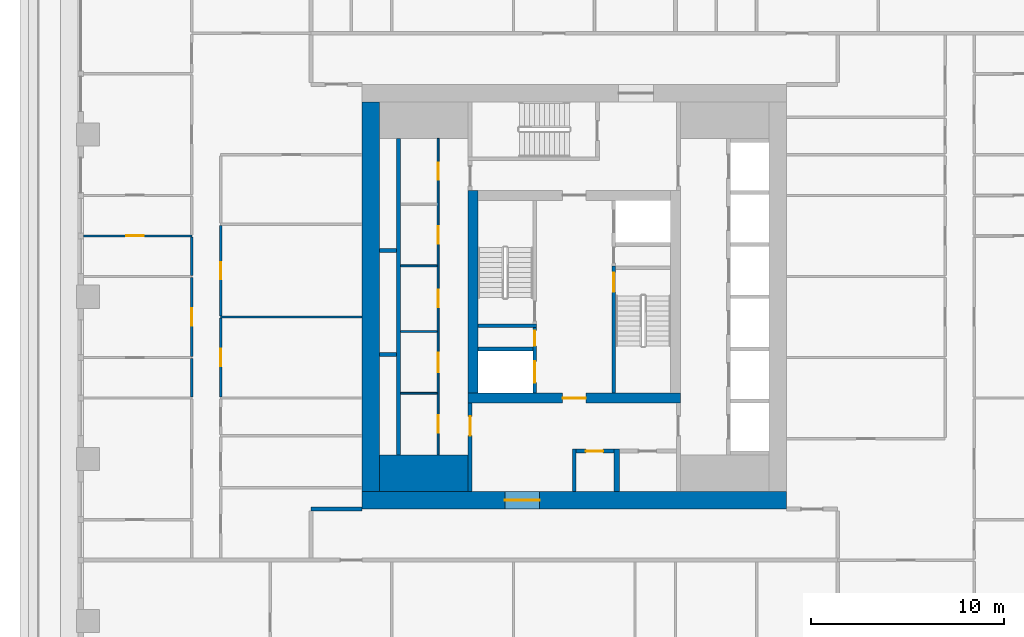
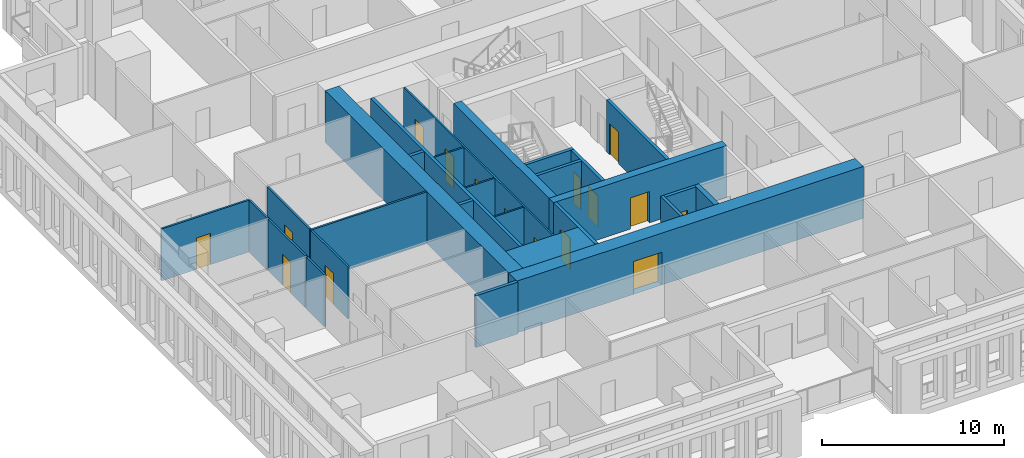
# One storey, part 4 of 16: 28 walls, 16 doors, 16 openings.
"""IFC4 building model written with IfcOpenShell, lengths in metres."""

from ifc_helpers import new_model, si_unit, direction, frame, frame_2d, origin, place, context, subcontext, project, spatial, rectangle, extrude, material, layer, layer_set, type_object, element, fill, save


model = new_model("IFC4")

# Units and contexts
model_context = context("Model", 3, precision=1e-05, world=origin(), true_north=direction((0.0, 1.0)))
body_context = subcontext(model_context, "Body", "Model", "MODEL_VIEW")
ifc_project = project(units=[si_unit("LENGTHUNIT", "METRE"), si_unit("AREAUNIT", "SQUARE_METRE"), si_unit("VOLUMEUNIT", "CUBIC_METRE"), si_unit("PLANEANGLEUNIT", "RADIAN"), si_unit("MASSUNIT", "GRAM", prefix="KILO")], contexts=[model_context])

# Site, building, storey
site_placement = place(None, origin())
site = spatial("IfcSite", under=ifc_project, at=site_placement, CompositionType="ELEMENT")
building_placement = place(site_placement, origin())
building = spatial("IfcBuilding", under=site, at=building_placement, Name="Khepri Terraces", CompositionType="ELEMENT")
storey_placement = place(building_placement, frame((0.0, 0.0, 240.60009765625)))
storey = spatial("IfcBuildingStorey", under=building, at=storey_placement, Name="L57", CompositionType="ELEMENT", Elevation=240.60009765625)

# Wall
ifc_material_1 = material(Name="Concrete C40/50", Category="concrete")
ifc_layer_1 = layer(ifc_material_1, 1.89990234375, Name="Concrete C40/50", Category="concrete")
ifc_layer_set_1 = layer_set([ifc_layer_1], Name="Concrete C40/50")
wall_type_1 = type_object("IfcWallType", Name="Core wall 1900 C40/50", PredefinedType="SHEAR", material=ifc_layer_set_1)
wall_1_placement = place(storey_placement, frame((-10.10009765625, -9.14990234375, 0.0), z_axis=(0.0, 0.0, 1.0), x_axis=(1.0, 0.0, 0.0)))
element("IfcWall", 1, at=wall_1_placement, inside=storey, type_object=wall_type_1, Name="Core wall PR01 L57", PredefinedType="SHEAR", context=body_context, shape_type="SweptSolid", body=[
    extrude(rectangle(XDim=4.60009765625, YDim=1.89990234375, at=frame_2d((2.300048828125, 0.0))), origin(), (0.0, 0.0, 1.0), 3.47998046875),
])

# Wall, opening, door
ifc_layer_2 = layer(ifc_material_1, 0.199951171875, Name="Concrete C40/50", Category="concrete")
ifc_layer_set_2 = layer_set([ifc_layer_2], Name="Concrete C40/50")
wall_type_2 = type_object("IfcWallType", Name="Core wall 200 C40/50", PredefinedType="SHEAR", material=ifc_layer_set_2)
wall_2_placement = place(storey_placement, frame((2.050048828125, -5.0, 0.0), z_axis=(0.0, 0.0, 1.0), x_axis=(0.0, 1.0, 0.0)))
wall_2 = element("IfcWall", 2, at=wall_2_placement, inside=storey, type_object=wall_type_2, Name="Core wall ST01 L57", PredefinedType="SHEAR", context=body_context, shape_type="SweptSolid", body=[
    extrude(rectangle(XDim=6.60009765625, YDim=0.199951171875, at=frame_2d((3.300048828125, 0.0))), origin(), (0.0, 0.0, 1.0), 3.47998046875),
])
opening_1_placement = place(wall_2_placement, frame((5.25, 0.0, 0.0)))
opening_1 = element("IfcOpeningElement", 3, at=opening_1_placement, cuts=wall_2, Name="Opening L57-C10", PredefinedType="OPENING", context=body_context, shape_type="SweptSolid", body=[
    extrude(rectangle(XDim=1.0, YDim=2.10009765625, at=frame_2d((0.5, 1.050048828125))), frame((0.0, 0.10986328125, 0.0), z_axis=(0.0, -1.0, 0.0), x_axis=(1.0, 0.0, 0.0)), (0.0, 0.0, 1.0), 0.219970703125),
])
ifc_material_2 = material(Name="Painted steel", Category="steel")
door_type_1 = type_object("IfcDoorType", Name="DR-CORE-STAIR-1000", OperationType="NOTDEFINED", PredefinedType="DOOR", material=ifc_material_2)
door_1_placement = place(opening_1_placement, frame((1.0, 0.0, 0.0), z_axis=(0.0, 0.0, 1.0), x_axis=(-1.0, 0.0, 0.0)))
door_1 = element("IfcDoor", 4, at=door_1_placement, inside=storey, type_object=door_type_1, Name="Stair door L57-C10", OperationType="SINGLE_SWING_LEFT", OverallHeight=2.10009765625, OverallWidth=1.0, PredefinedType="DOOR", context=body_context, shape_type="SweptSolid", body=[
    extrude(rectangle(XDim=1.0, YDim=2.10009765625, at=frame_2d((0.5, 1.050048828125))), frame((0.0, 0.02490234375, 0.0), z_axis=(0.0, -1.0, 0.0), x_axis=(1.0, 0.0, 0.0)), (0.0, 0.0, 1.0), 0.050048828125),
])
fill(opening_1, door_1)

# Walls
wall_3_placement = place(storey_placement, frame((-5.0, -1.5, 0.0), z_axis=(0.0, 0.0, 1.0), x_axis=(1.0, 0.0, 0.0)))
element("IfcWall", 5, at=wall_3_placement, inside=storey, type_object=wall_type_2, Name="Core wall ST02 L57", PredefinedType="SHEAR", context=body_context, shape_type="SweptSolid", body=[
    extrude(rectangle(XDim=3.050048828125, YDim=0.199951171875, at=frame_2d((1.52490234375, 0.0))), origin(), (0.0, 0.0, 1.0), 3.47998046875),
])
wall_4_placement = place(storey_placement, frame((-9.10009765625, -8.199951171875, 0.0), z_axis=(0.0, 0.0, 1.0), x_axis=(0.0, 1.0, 0.0)))
element("IfcWall", 6, at=wall_4_placement, inside=storey, type_object=wall_type_2, Name="Core wall SH01 L57", PredefinedType="SHEAR", context=body_context, shape_type="SweptSolid", body=[
    extrude(rectangle(XDim=16.39990234375, YDim=0.199951171875, at=frame_2d((8.199951171875, 0.0))), origin(), (0.0, 0.0, 1.0), 3.47998046875),
])

# Wall, openings, doors
wall_5_placement = place(storey_placement, frame((-2.050048828125, -5.0, 0.0), z_axis=(0.0, 0.0, 1.0), x_axis=(0.0, 1.0, 0.0)))
wall_5 = element("IfcWall", 7, at=wall_5_placement, inside=storey, type_object=wall_type_2, Name="Core wall SH05 L57", PredefinedType="SHEAR", context=body_context, shape_type="SweptSolid", body=[
    extrude(rectangle(XDim=3.39990234375, YDim=0.199951171875, at=frame_2d((1.699951171875, 0.0))), origin(), (0.0, 0.0, 1.0), 3.47998046875),
])
opening_2_placement = place(wall_5_placement, frame((0.550048828125, 0.0, 0.0)))
opening_2 = element("IfcOpeningElement", 8, at=opening_2_placement, cuts=wall_5, Name="Opening L57-C08", PredefinedType="OPENING", context=body_context, shape_type="SweptSolid", body=[
    extrude(rectangle(XDim=1.10009765625, YDim=2.10009765625, at=frame_2d((0.550048828125, 1.050048828125))), frame((0.0, 0.10986328125, 0.0), z_axis=(0.0, -1.0, 0.0), x_axis=(1.0, 0.0, 0.0)), (0.0, 0.0, 1.0), 0.219970703125),
])
opening_3_placement = place(wall_5_placement, frame((2.449951171875, 0.0, 0.0)))
opening_3 = element("IfcOpeningElement", 9, at=opening_3_placement, cuts=wall_5, Name="Opening L57-C12", PredefinedType="OPENING", context=body_context, shape_type="SweptSolid", body=[
    extrude(rectangle(XDim=0.800048828125, YDim=2.10009765625, at=frame_2d((0.39990234375, 1.050048828125))), frame((0.0, 0.10986328125, 0.0), z_axis=(0.0, -1.0, 0.0), x_axis=(1.0, 0.0, 0.0)), (0.0, 0.0, 1.0), 0.219970703125),
])
ifc_material_3 = material(Name="Stainless steel 304", Category="steel")
door_type_2 = type_object("IfcDoorType", Name="DR-CORE-FF-LANDING-1100", OperationType="NOTDEFINED", PredefinedType="DOOR", material=ifc_material_3)
door_2_placement = place(opening_2_placement, origin())
door_2 = element("IfcDoor", 10, at=door_2_placement, inside=storey, type_object=door_type_2, Name="Firefighting lift landing door L57-C08", OperationType="SLIDING_TO_LEFT", OverallHeight=2.10009765625, OverallWidth=1.10009765625, PredefinedType="DOOR", context=body_context, shape_type="SweptSolid", body=[
    extrude(rectangle(XDim=1.10009765625, YDim=2.10009765625, at=frame_2d((0.550048828125, 1.050048828125))), frame((0.0, 0.02490234375, 0.0), z_axis=(0.0, -1.0, 0.0), x_axis=(1.0, 0.0, 0.0)), (0.0, 0.0, 1.0), 0.050048828125),
])
fill(opening_2, door_2)
door_type_3 = type_object("IfcDoorType", Name="DR-CORE-RISER-800", OperationType="NOTDEFINED", PredefinedType="DOOR", material=ifc_material_2)
door_3_placement = place(opening_3_placement, origin())
door_3 = element("IfcDoor", 11, at=door_3_placement, inside=storey, type_object=door_type_3, Name="Riser door L57-C12", OperationType="SINGLE_SWING_RIGHT", OverallHeight=2.10009765625, OverallWidth=0.800048828125, PredefinedType="DOOR", context=body_context, shape_type="SweptSolid", body=[
    extrude(rectangle(XDim=0.800048828125, YDim=2.10009765625, at=frame_2d((0.39990234375, 1.050048828125))), frame((0.0, 0.02490234375, 0.0), z_axis=(0.0, -1.0, 0.0), x_axis=(1.0, 0.0, 0.0)), (0.0, 0.0, 1.0), 0.050048828125),
])
fill(opening_3, door_3)

# Walls
wall_6_placement = place(storey_placement, frame((-10.10009765625, -3.0, 0.0), z_axis=(0.0, 0.0, 1.0), x_axis=(1.0, 0.0, 0.0)))
element("IfcWall", 12, at=wall_6_placement, inside=storey, type_object=wall_type_2, Name="Core wall SH06 L57", PredefinedType="SHEAR", context=body_context, shape_type="SweptSolid", body=[
    extrude(rectangle(XDim=0.900146484375, YDim=0.199951171875, at=frame_2d((0.4501953125, 0.0))), origin(), (0.0, 0.0, 1.0), 3.47998046875),
])
wall_7_placement = place(storey_placement, frame((-5.0, -2.699951171875, 0.0), z_axis=(0.0, 0.0, 1.0), x_axis=(1.0, 0.0, 0.0)))
element("IfcWall", 13, at=wall_7_placement, inside=storey, type_object=wall_type_2, Name="Core wall SH07 L57", PredefinedType="SHEAR", context=body_context, shape_type="SweptSolid", body=[
    extrude(rectangle(XDim=2.85009765625, YDim=0.199951171875, at=frame_2d((1.425048828125, 0.0))), origin(), (0.0, 0.0, 1.0), 3.47998046875),
])
wall_8_placement = place(storey_placement, frame((-10.10009765625, 2.39990234375, 0.0), z_axis=(0.0, 0.0, 1.0), x_axis=(1.0, 0.0, 0.0)))
element("IfcWall", 14, at=wall_8_placement, inside=storey, type_object=wall_type_2, Name="Core wall SH11 L57", PredefinedType="SHEAR", context=body_context, shape_type="SweptSolid", body=[
    extrude(rectangle(XDim=0.900146484375, YDim=0.199951171875, at=frame_2d((0.4501953125, 0.0))), origin(), (0.0, 0.0, 1.0), 3.47998046875),
])

# Wall, opening, door
ifc_layer_3 = layer(ifc_material_1, 0.5, Name="Concrete C40/50", Category="concrete")
ifc_layer_set_3 = layer_set([ifc_layer_3], Name="Concrete C40/50")
wall_type_3 = type_object("IfcWallType", Name="Core wall 500 C40/50", PredefinedType="SHEAR", material=ifc_layer_set_3)
wall_9_placement = place(storey_placement, frame((-5.5, -5.25, 0.0), z_axis=(0.0, 0.0, 1.0), x_axis=(1.0, 0.0, 0.0)))
wall_9 = element("IfcWall", 15, at=wall_9_placement, inside=storey, type_object=wall_type_3, Name="Core wall BX01 L57", PredefinedType="SHEAR", context=body_context, shape_type="SweptSolid", body=[
    extrude(rectangle(XDim=11.0, YDim=0.5, at=frame_2d((5.5, 0.0))), origin(), (0.0, 0.0, 1.0), 3.47998046875),
])
opening_4_placement = place(wall_9_placement, frame((4.89990234375, 0.0, 0.0)))
opening_4 = element("IfcOpeningElement", 16, at=opening_4_placement, cuts=wall_9, Name="Opening L57-C14", PredefinedType="OPENING", context=body_context, shape_type="SweptSolid", body=[
    extrude(rectangle(XDim=1.199951171875, YDim=2.10009765625, at=frame_2d((0.60009765625, 1.050048828125))), frame((0.0, 0.260009765625, 0.0), z_axis=(0.0, -1.0, 0.0), x_axis=(1.0, 0.0, 0.0)), (0.0, 0.0, 1.0), 0.52001953125),
])
door_type_4 = type_object("IfcDoorType", Name="DR-CORE-FF-LOBBY-1200", OperationType="NOTDEFINED", PredefinedType="DOOR", material=ifc_material_2)
door_4_placement = place(opening_4_placement, origin())
door_4 = element("IfcDoor", 17, at=door_4_placement, inside=storey, type_object=door_type_4, Name="Firefighting lobby door L57-C14", OperationType="SINGLE_SWING_RIGHT", OverallHeight=2.10009765625, OverallWidth=1.199951171875, PredefinedType="DOOR", context=body_context, shape_type="SweptSolid", body=[
    extrude(rectangle(XDim=1.199951171875, YDim=2.10009765625, at=frame_2d((0.60009765625, 1.050048828125))), frame((0.0, 0.02490234375, 0.0), z_axis=(0.0, -1.0, 0.0), x_axis=(1.0, 0.0, 0.0)), (0.0, 0.0, 1.0), 0.050048828125),
])
fill(opening_4, door_4)

# Wall
wall_10_placement = place(storey_placement, frame((-5.25, -5.0, 0.0), z_axis=(0.0, 0.0, 1.0), x_axis=(0.0, 1.0, 0.0)))
element("IfcWall", 18, at=wall_10_placement, inside=storey, type_object=wall_type_3, Name="Core wall BX02 L57", PredefinedType="SHEAR", context=body_context, shape_type="SweptSolid", body=[
    extrude(rectangle(XDim=10.5, YDim=0.5, at=frame_2d((5.25, 0.0))), origin(), (0.0, 0.0, 1.0), 3.47998046875),
])

# Wall, opening, door
ifc_layer_4 = layer(ifc_material_1, 0.89990234375, Name="Concrete C40/50", Category="concrete")
ifc_layer_set_4 = layer_set([ifc_layer_4], Name="Concrete C40/50")
wall_type_4 = type_object("IfcWallType", Name="Core wall 900 C40/50", PredefinedType="SHEAR", material=ifc_layer_set_4)
wall_11_placement = place(storey_placement, frame((-11.0, -10.550048828125, 0.0), z_axis=(0.0, 0.0, 1.0), x_axis=(1.0, 0.0, 0.0)))
wall_11 = element("IfcWall", 19, at=wall_11_placement, inside=storey, type_object=wall_type_4, Name="Core wall OW-S L57", PredefinedType="SHEAR", context=body_context, shape_type="SweptSolid", body=[
    extrude(rectangle(XDim=22.0, YDim=0.89990234375, at=frame_2d((11.0, 0.0))), origin(), (0.0, 0.0, 1.0), 3.47998046875),
])
opening_5_placement = place(wall_11_placement, frame((7.39990234375, 0.0, 0.0)))
opening_5 = element("IfcOpeningElement", 20, at=opening_5_placement, cuts=wall_11, Name="Opening L57-C21", PredefinedType="OPENING", context=body_context, shape_type="SweptSolid", body=[
    extrude(rectangle(XDim=1.800048828125, YDim=2.199951171875, at=frame_2d((0.89990234375, 1.10009765625))), frame((0.0, 0.4599609375, 0.0), z_axis=(0.0, -1.0, 0.0), x_axis=(1.0, 0.0, 0.0)), (0.0, 0.0, 1.0), 0.919921875),
])
door_type_5 = type_object("IfcDoorType", Name="DR-CORE-ENTRANCE-1800", OperationType="NOTDEFINED", PredefinedType="DOOR", material=ifc_material_2)
door_5_placement = place(opening_5_placement, frame((1.800048828125, 0.0, 0.0), z_axis=(0.0, 0.0, 1.0), x_axis=(-1.0, 0.0, 0.0)))
door_5 = element("IfcDoor", 21, at=door_5_placement, inside=storey, type_object=door_type_5, Name="Core entrance door pair L57-C21", OperationType="DOUBLE_DOOR_SINGLE_SWING", OverallHeight=2.199951171875, OverallWidth=1.800048828125, PredefinedType="DOOR", context=body_context, shape_type="SweptSolid", body=[
    extrude(rectangle(XDim=1.800048828125, YDim=2.199951171875, at=frame_2d((0.89990234375, 1.10009765625))), frame((0.0, 0.02490234375, 0.0), z_axis=(0.0, -1.0, 0.0), x_axis=(1.0, 0.0, 0.0)), (0.0, 0.0, 1.0), 0.050048828125),
])
fill(opening_5, door_5)

# Wall
wall_12_placement = place(storey_placement, frame((-10.550048828125, -10.10009765625, 0.0), z_axis=(0.0, 0.0, 1.0), x_axis=(0.0, 1.0, 0.0)))
element("IfcWall", 22, at=wall_12_placement, inside=storey, type_object=wall_type_4, Name="Core wall OW-W L57", PredefinedType="SHEAR", context=body_context, shape_type="SweptSolid", body=[
    extrude(rectangle(XDim=20.2001953125, YDim=0.89990234375, at=frame_2d((10.10009765625, 0.0))), origin(), (0.0, 0.0, 1.0), 3.47998046875),
])

# Wall, openings, doors
ifc_material_4 = material(Name="Fire-rated gypsum board partition")
ifc_layer_5 = layer(ifc_material_4, 0.10009765625, Name="Fire-rated gypsum board partition")
ifc_layer_set_5 = layer_set([ifc_layer_5], Name="Fire-rated gypsum board partition")
wall_type_5 = type_object("IfcWallType", Name="WL-CORE-PART-100", PredefinedType="PARTITIONING", material=ifc_layer_set_5)
wall_13_placement = place(storey_placement, frame((-7.050048828125, -8.199951171875, 0.0), z_axis=(0.0, 0.0, 1.0), x_axis=(0.0, 1.0, 0.0)))
wall_13 = element("IfcWall", 23, at=wall_13_placement, inside=storey, type_object=wall_type_5, Name="Core partition PT05 L57", PredefinedType="PARTITIONING", context=body_context, shape_type="SweptSolid", body=[
    extrude(rectangle(XDim=16.39990234375, YDim=0.10009765625, at=frame_2d((8.199951171875, 0.0))), origin(), (0.0, 0.0, 1.0), 3.47998046875),
])
opening_6_placement = place(wall_13_placement, frame((1.14990234375, 0.0, 0.0)))
opening_6 = element("IfcOpeningElement", 24, at=opening_6_placement, cuts=wall_13, Name="Opening L57-C24", PredefinedType="OPENING", context=body_context, shape_type="SweptSolid", body=[
    extrude(rectangle(XDim=0.89990234375, YDim=2.10009765625, at=frame_2d((0.449951171875, 1.050048828125))), frame((0.0, 0.06005859375, 0.0), z_axis=(0.0, -1.0, 0.0), x_axis=(1.0, 0.0, 0.0)), (0.0, 0.0, 1.0), 0.1201171875),
])
opening_7_placement = place(wall_13_placement, frame((4.300048828125, 0.0, 0.0)))
opening_7 = element("IfcOpeningElement", 25, at=opening_7_placement, cuts=wall_13, Name="Opening L57-C25", PredefinedType="OPENING", context=body_context, shape_type="SweptSolid", body=[
    extrude(rectangle(XDim=1.0, YDim=2.10009765625, at=frame_2d((0.5, 1.050048828125))), frame((0.0, 0.06005859375, 0.0), z_axis=(0.0, -1.0, 0.0), x_axis=(1.0, 0.0, 0.0)), (0.0, 0.0, 1.0), 0.1201171875),
])
opening_8_placement = place(wall_13_placement, frame((7.64990234375, 0.0, 0.0)))
opening_8 = element("IfcOpeningElement", 26, at=opening_8_placement, cuts=wall_13, Name="Opening L57-C26", PredefinedType="OPENING", context=body_context, shape_type="SweptSolid", body=[
    extrude(rectangle(XDim=0.89990234375, YDim=2.10009765625, at=frame_2d((0.449951171875, 1.050048828125))), frame((0.0, 0.06005859375, 0.0), z_axis=(0.0, -1.0, 0.0), x_axis=(1.0, 0.0, 0.0)), (0.0, 0.0, 1.0), 0.1201171875),
])
opening_9_placement = place(wall_13_placement, frame((10.949951171875, 0.0, 0.0)))
opening_9 = element("IfcOpeningElement", 27, at=opening_9_placement, cuts=wall_13, Name="Opening L57-C27", PredefinedType="OPENING", context=body_context, shape_type="SweptSolid", body=[
    extrude(rectangle(XDim=0.89990234375, YDim=2.10009765625, at=frame_2d((0.449951171875, 1.050048828125))), frame((0.0, 0.06005859375, 0.0), z_axis=(0.0, -1.0, 0.0), x_axis=(1.0, 0.0, 0.0)), (0.0, 0.0, 1.0), 0.1201171875),
])
opening_10_placement = place(wall_13_placement, frame((14.25, 0.0, 0.0)))
opening_10 = element("IfcOpeningElement", 28, at=opening_10_placement, cuts=wall_13, Name="Opening L57-C28", PredefinedType="OPENING", context=body_context, shape_type="SweptSolid", body=[
    extrude(rectangle(XDim=0.89990234375, YDim=2.10009765625, at=frame_2d((0.449951171875, 1.050048828125))), frame((0.0, 0.06005859375, 0.0), z_axis=(0.0, -1.0, 0.0), x_axis=(1.0, 0.0, 0.0)), (0.0, 0.0, 1.0), 0.1201171875),
])
door_type_6 = type_object("IfcDoorType", Name="DR-CORE-SERVICE-900", OperationType="NOTDEFINED", PredefinedType="DOOR", material=ifc_material_2)
door_6_placement = place(opening_6_placement, origin())
door_6 = element("IfcDoor", 29, at=door_6_placement, inside=storey, type_object=door_type_6, Name="Service room door L57-C24", OperationType="SINGLE_SWING_LEFT", OverallHeight=2.10009765625, OverallWidth=0.89990234375, PredefinedType="DOOR", context=body_context, shape_type="SweptSolid", body=[
    extrude(rectangle(XDim=0.89990234375, YDim=2.10009765625, at=frame_2d((0.449951171875, 1.050048828125))), frame((0.0, 0.02490234375, 0.0), z_axis=(0.0, -1.0, 0.0), x_axis=(1.0, 0.0, 0.0)), (0.0, 0.0, 1.0), 0.050048828125),
])
fill(opening_6, door_6)
door_7_placement = place(opening_8_placement, origin())
door_7 = element("IfcDoor", 30, at=door_7_placement, inside=storey, type_object=door_type_6, Name="Service room door L57-C26", OperationType="SINGLE_SWING_LEFT", OverallHeight=2.10009765625, OverallWidth=0.89990234375, PredefinedType="DOOR", context=body_context, shape_type="SweptSolid", body=[
    extrude(rectangle(XDim=0.89990234375, YDim=2.10009765625, at=frame_2d((0.449951171875, 1.050048828125))), frame((0.0, 0.02490234375, 0.0), z_axis=(0.0, -1.0, 0.0), x_axis=(1.0, 0.0, 0.0)), (0.0, 0.0, 1.0), 0.050048828125),
])
fill(opening_8, door_7)
door_8_placement = place(opening_9_placement, origin())
door_8 = element("IfcDoor", 31, at=door_8_placement, inside=storey, type_object=door_type_6, Name="Service room door L57-C27", OperationType="SINGLE_SWING_RIGHT", OverallHeight=2.10009765625, OverallWidth=0.89990234375, PredefinedType="DOOR", context=body_context, shape_type="SweptSolid", body=[
    extrude(rectangle(XDim=0.89990234375, YDim=2.10009765625, at=frame_2d((0.449951171875, 1.050048828125))), frame((0.0, 0.02490234375, 0.0), z_axis=(0.0, -1.0, 0.0), x_axis=(1.0, 0.0, 0.0)), (0.0, 0.0, 1.0), 0.050048828125),
])
fill(opening_9, door_8)
door_9_placement = place(opening_10_placement, origin())
door_9 = element("IfcDoor", 32, at=door_9_placement, inside=storey, type_object=door_type_6, Name="Service room door L57-C28", OperationType="SINGLE_SWING_RIGHT", OverallHeight=2.10009765625, OverallWidth=0.89990234375, PredefinedType="DOOR", context=body_context, shape_type="SweptSolid", body=[
    extrude(rectangle(XDim=0.89990234375, YDim=2.10009765625, at=frame_2d((0.449951171875, 1.050048828125))), frame((0.0, 0.02490234375, 0.0), z_axis=(0.0, -1.0, 0.0), x_axis=(1.0, 0.0, 0.0)), (0.0, 0.0, 1.0), 0.050048828125),
])
fill(opening_10, door_9)
ifc_material_5 = material(Name="Timber veneer", Category="wood")
door_type_7 = type_object("IfcDoorType", Name="DR-CORE-WC-1000", OperationType="NOTDEFINED", PredefinedType="DOOR", material=ifc_material_5)
door_10_placement = place(opening_7_placement, origin())
door_10 = element("IfcDoor", 33, at=door_10_placement, inside=storey, type_object=door_type_7, Name="WC door L57-C25", OperationType="SINGLE_SWING_LEFT", OverallHeight=2.10009765625, OverallWidth=1.0, PredefinedType="DOOR", context=body_context, shape_type="SweptSolid", body=[
    extrude(rectangle(XDim=1.0, YDim=2.10009765625, at=frame_2d((0.5, 1.050048828125))), frame((0.0, 0.02490234375, 0.0), z_axis=(0.0, -1.0, 0.0), x_axis=(1.0, 0.0, 0.0)), (0.0, 0.0, 1.0), 0.050048828125),
])
fill(opening_7, door_10)

# Walls
for number, where, z_axis, x_axis, name in (
    (34, (-9.0, -5.0, 0.0), (0.0, 0.0, 1.0), (1.0, 0.0, 0.0), "Core partition PT08 L57"),
    (35, (-9.0, -1.800048828125, 0.0), (0.0, 0.0, 1.0), (1.0, 0.0, 0.0), "Core partition PT09 L57"),
    (36, (-9.0, 1.60009765625, 0.0), (0.0, 0.0, 1.0), (1.0, 0.0, 0.0), "Core partition PT10 L57"),
):
    element("IfcWall", number, at=place(storey_placement, frame(where, z_axis=z_axis, x_axis=x_axis)), inside=storey, type_object=wall_type_5, Name=name, PredefinedType="PARTITIONING", context=body_context, shape_type="SweptSolid", body=[
        extrude(rectangle(XDim=1.89990234375, YDim=0.10009765625, at=frame_2d((0.949951171875, 0.0))), origin(), (0.0, 0.0, 1.0), 3.47998046875),
    ])

# Wall, opening, door
ifc_layer_6 = layer(ifc_material_4, 0.199951171875, Name="Fire-rated gypsum board partition")
ifc_layer_set_6 = layer_set([ifc_layer_6], Name="Fire-rated gypsum board partition")
wall_type_6 = type_object("IfcWallType", Name="WL-CORE-PART-200", PredefinedType="PARTITIONING", material=ifc_layer_set_6)
wall_14_placement = place(storey_placement, frame((-5.39990234375, -10.10009765625, 0.0), z_axis=(0.0, 0.0, 1.0), x_axis=(0.0, 1.0, 0.0)))
wall_14 = element("IfcWall", 37, at=wall_14_placement, inside=storey, type_object=wall_type_6, Name="Core partition PT01 L57", PredefinedType="PARTITIONING", context=body_context, shape_type="SweptSolid", body=[
    extrude(rectangle(XDim=4.60009765625, YDim=0.199951171875, at=frame_2d((2.300048828125, 0.0))), origin(), (0.0, 0.0, 1.0), 3.47998046875),
])
opening_11_placement = place(wall_14_placement, frame((2.89990234375, 0.0, 0.0)))
opening_11 = element("IfcOpeningElement", 38, at=opening_11_placement, cuts=wall_14, Name="Opening L57-C18", PredefinedType="OPENING", context=body_context, shape_type="SweptSolid", body=[
    extrude(rectangle(XDim=1.0, YDim=2.10009765625, at=frame_2d((0.5, 1.050048828125))), frame((0.0, 0.10986328125, 0.0), z_axis=(0.0, -1.0, 0.0), x_axis=(1.0, 0.0, 0.0)), (0.0, 0.0, 1.0), 0.219970703125),
])
door_type_8 = type_object("IfcDoorType", Name="DR-CORE-LOBBY-1000", OperationType="NOTDEFINED", PredefinedType="DOOR", material=ifc_material_2)
door_11_placement = place(opening_11_placement, frame((1.0, 0.0, 0.0), z_axis=(0.0, 0.0, 1.0), x_axis=(-1.0, 0.0, 0.0)))
door_11 = element("IfcDoor", 39, at=door_11_placement, inside=storey, type_object=door_type_8, Name="Lobby door L57-C18", OperationType="SINGLE_SWING_LEFT", OverallHeight=2.10009765625, OverallWidth=1.0, PredefinedType="DOOR", context=body_context, shape_type="SweptSolid", body=[
    extrude(rectangle(XDim=1.0, YDim=2.10009765625, at=frame_2d((0.5, 1.050048828125))), frame((0.0, 0.02490234375, 0.0), z_axis=(0.0, -1.0, 0.0), x_axis=(1.0, 0.0, 0.0)), (0.0, 0.0, 1.0), 0.050048828125),
])
fill(opening_11, door_11)

# Wall
wall_15_placement = place(storey_placement, frame((0.0, -10.10009765625, 0.0), z_axis=(0.0, 0.0, 1.0), x_axis=(0.0, 1.0, 0.0)))
element("IfcWall", 40, at=wall_15_placement, inside=storey, type_object=wall_type_6, Name="Core partition PT02 L57", PredefinedType="PARTITIONING", context=body_context, shape_type="SweptSolid", body=[
    extrude(rectangle(XDim=2.2001953125, YDim=0.199951171875, at=frame_2d((1.10009765625, 0.0))), origin(), (0.0, 0.0, 1.0), 3.47998046875),
])

# Wall, opening, door
wall_16_placement = place(storey_placement, frame((0.10009765625, -8.0, 0.0), z_axis=(0.0, 0.0, 1.0), x_axis=(1.0, 0.0, 0.0)))
wall_16 = element("IfcWall", 41, at=wall_16_placement, inside=storey, type_object=wall_type_6, Name="Core partition PT06 L57", PredefinedType="PARTITIONING", context=body_context, shape_type="SweptSolid", body=[
    extrude(rectangle(XDim=1.949951171875, YDim=0.199951171875, at=frame_2d((0.97509765625, 0.0))), origin(), (0.0, 0.0, 1.0), 3.47998046875),
])
opening_12_placement = place(wall_16_placement, frame((0.5, 0.0, 0.0)))
opening_12 = element("IfcOpeningElement", 42, at=opening_12_placement, cuts=wall_16, Name="Opening L57-C22", PredefinedType="OPENING", context=body_context, shape_type="SweptSolid", body=[
    extrude(rectangle(XDim=0.89990234375, YDim=2.10009765625, at=frame_2d((0.449951171875, 1.050048828125))), frame((0.0, 0.10986328125, 0.0), z_axis=(0.0, -1.0, 0.0), x_axis=(1.0, 0.0, 0.0)), (0.0, 0.0, 1.0), 0.219970703125),
])
door_12_placement = place(opening_12_placement, frame((0.89990234375, 0.0, 0.0), z_axis=(0.0, 0.0, 1.0), x_axis=(-1.0, 0.0, 0.0)))
door_12 = element("IfcDoor", 43, at=door_12_placement, inside=storey, type_object=door_type_6, Name="Service room door L57-C22", OperationType="SINGLE_SWING_RIGHT", OverallHeight=2.10009765625, OverallWidth=0.89990234375, PredefinedType="DOOR", context=body_context, shape_type="SweptSolid", body=[
    extrude(rectangle(XDim=0.89990234375, YDim=2.10009765625, at=frame_2d((0.449951171875, 1.050048828125))), frame((0.0, 0.02490234375, 0.0), z_axis=(0.0, -1.0, 0.0), x_axis=(1.0, 0.0, 0.0)), (0.0, 0.0, 1.0), 0.050048828125),
])
fill(opening_12, door_12)

# Walls
ifc_layer_7 = layer(ifc_material_4, 0.300048828125, Name="Fire-rated gypsum board partition")
ifc_layer_set_7 = layer_set([ifc_layer_7], Name="Fire-rated gypsum board partition")
wall_type_7 = type_object("IfcWallType", Name="WL-CORE-PART-300", PredefinedType="PARTITIONING", material=ifc_layer_set_7)
wall_17_placement = place(storey_placement, frame((2.199951171875, -10.10009765625, 0.0), z_axis=(0.0, 0.0, 1.0), x_axis=(0.0, 1.0, 0.0)))
element("IfcWall", 44, at=wall_17_placement, inside=storey, type_object=wall_type_7, Name="Core partition PT03 L57", PredefinedType="PARTITIONING", context=body_context, shape_type="SweptSolid", body=[
    extrude(rectangle(XDim=2.2001953125, YDim=0.300048828125, at=frame_2d((1.10009765625, 0.0))), origin(), (0.0, 0.0, 1.0), 3.47998046875),
])
ifc_material_6 = material(Name="Fire-rated gypsum plasterboard partition, mineral wool")
ifc_layer_8 = layer(ifc_material_6, 0.199951171875, Name="Fire-rated gypsum plasterboard partition, mineral wool")
ifc_layer_set_8 = layer_set([ifc_layer_8], Name="Fire-rated gypsum plasterboard partition, mineral wool")
wall_type_8 = type_object("IfcWallType", Name="WL-CORR-200", PredefinedType="PARTITIONING", material=ifc_layer_set_8)
wall_18_placement = place(storey_placement, frame((-13.64990234375, -11.0, 0.0), z_axis=(0.0, 0.0, 1.0), x_axis=(1.0, 0.0, 0.0)))
element("IfcWall", 45, at=wall_18_placement, inside=storey, type_object=wall_type_8, Name="Partition P-031 L57", PredefinedType="PARTITIONING", context=body_context, shape_type="SweptSolid", body=[
    extrude(rectangle(XDim=2.64990234375, YDim=0.199951171875, at=frame_2d((1.324951171875, 0.0))), origin(), (0.0, 0.0, 1.0), 3.47998046875),
])
ifc_material_7 = material(Name="Gypsum plasterboard partition")
ifc_layer_9 = layer(ifc_material_7, 0.1201171875, Name="Gypsum plasterboard partition")
ifc_layer_set_9 = layer_set([ifc_layer_9], Name="Gypsum plasterboard partition")
wall_type_9 = type_object("IfcWallType", Name="WL-PART-120", PredefinedType="PARTITIONING", material=ifc_layer_set_9)
wall_19_placement = place(storey_placement, frame((-19.820068359375, -5.18994140625, 0.0), z_axis=(0.0, 0.0, 1.0), x_axis=(0.0, 1.0, 0.0)))
element("IfcWall", 46, at=wall_19_placement, inside=storey, type_object=wall_type_9, Name="Partition P-042 L57", PredefinedType="PARTITIONING", context=body_context, shape_type="SweptSolid", body=[
    extrude(rectangle(XDim=1.97998046875, YDim=0.1201171875, at=frame_2d((0.989990234375, 0.0))), origin(), (0.0, 0.0, 1.0), 3.47998046875),
])

# Wall, opening, door
wall_20_placement = place(storey_placement, frame((-18.320068359375, -5.18994140625, 0.0), z_axis=(0.0, 0.0, 1.0), x_axis=(0.0, 1.0, 0.0)))
wall_20 = element("IfcWall", 47, at=wall_20_placement, inside=storey, type_object=wall_type_9, Name="Partition P-043 L57", PredefinedType="PARTITIONING", context=body_context, shape_type="SweptSolid", body=[
    extrude(rectangle(XDim=4.079833984375, YDim=0.1201171875, at=frame_2d((2.0400390625, 0.0))), origin(), (0.0, 0.0, 1.0), 3.47998046875),
])
opening_13_placement = place(wall_20_placement, frame((1.590087890625, 0.0, 0.0)))
opening_13 = element("IfcOpeningElement", 48, at=opening_13_placement, cuts=wall_20, Name="Opening D3", PredefinedType="OPENING", context=body_context, shape_type="SweptSolid", body=[
    extrude(rectangle(XDim=0.89990234375, YDim=2.10009765625, at=frame_2d((0.449951171875, 1.050048828125))), frame((0.0, 0.070068359375, 0.0), z_axis=(0.0, -1.0, 0.0), x_axis=(1.0, 0.0, 0.0)), (0.0, 0.0, 1.0), 0.14013671875),
])
ifc_material_8 = material(Name="Timber door leaf", Category="wood")
door_type_9 = type_object("IfcDoorType", Name="DR-INT-900", OperationType="NOTDEFINED", PredefinedType="DOOR", material=ifc_material_8)
door_13_placement = place(opening_13_placement, frame((0.89990234375, 0.0, 0.0), z_axis=(0.0, 0.0, 1.0), x_axis=(-1.0, 0.0, 0.0)))
door_13 = element("IfcDoor", 49, at=door_13_placement, inside=storey, type_object=door_type_9, Name="Door Staff Bedroom", OperationType="SINGLE_SWING_LEFT", OverallHeight=2.10009765625, OverallWidth=0.89990234375, PredefinedType="DOOR", context=body_context, shape_type="SweptSolid", body=[
    extrude(rectangle(XDim=0.89990234375, YDim=2.10009765625, at=frame_2d((0.449951171875, 1.050048828125))), frame((0.0, 0.02490234375, 0.0), z_axis=(0.0, -1.0, 0.0), x_axis=(1.0, 0.0, 0.0)), (0.0, 0.0, 1.0), 0.050048828125),
])
fill(opening_13, door_13)

wall_21_placement = place(storey_placement, frame((-19.820068359375, -3.090087890625, 0.0), z_axis=(0.0, 0.0, 1.0), x_axis=(0.0, 1.0, 0.0)))
wall_21 = element("IfcWall", 50, at=wall_21_placement, inside=storey, type_object=wall_type_9, Name="Partition P-047 L57", PredefinedType="PARTITIONING", context=body_context, shape_type="SweptSolid", body=[
    extrude(rectangle(XDim=4.080078125, YDim=0.1201171875, at=frame_2d((2.0400390625, 0.0))), origin(), (0.0, 0.0, 1.0), 3.47998046875),
])
opening_14_placement = place(wall_21_placement, frame((1.590087890625, 0.0, 0.0)))
opening_14 = element("IfcOpeningElement", 51, at=opening_14_placement, cuts=wall_21, Name="Opening D3", PredefinedType="OPENING", context=body_context, shape_type="SweptSolid", body=[
    extrude(rectangle(XDim=0.89990234375, YDim=2.10009765625, at=frame_2d((0.449951171875, 1.050048828125))), frame((0.0, 0.070068359375, 0.0), z_axis=(0.0, -1.0, 0.0), x_axis=(1.0, 0.0, 0.0)), (0.0, 0.0, 1.0), 0.14013671875),
])
door_14_placement = place(opening_14_placement, origin())
door_14 = element("IfcDoor", 52, at=door_14_placement, inside=storey, type_object=door_type_9, Name="Door Bedroom", OperationType="SINGLE_SWING_RIGHT", OverallHeight=2.10009765625, OverallWidth=0.89990234375, PredefinedType="DOOR", context=body_context, shape_type="SweptSolid", body=[
    extrude(rectangle(XDim=0.89990234375, YDim=2.10009765625, at=frame_2d((0.449951171875, 1.050048828125))), frame((0.0, 0.02490234375, 0.0), z_axis=(0.0, -1.0, 0.0), x_axis=(1.0, 0.0, 0.0)), (0.0, 0.0, 1.0), 0.050048828125),
])
fill(opening_14, door_14)

# Wall
wall_22_placement = place(storey_placement, frame((-18.320068359375, -1.050048828125, 0.0), z_axis=(0.0, 0.0, 1.0), x_axis=(1.0, 0.0, 0.0)))
element("IfcWall", 53, at=wall_22_placement, inside=storey, type_object=wall_type_9, Name="Partition P-049 L57", PredefinedType="PARTITIONING", context=body_context, shape_type="SweptSolid", body=[
    extrude(rectangle(XDim=7.320068359375, YDim=0.1201171875, at=frame_2d((3.66015625, 0.0))), origin(), (0.0, 0.0, 1.0), 3.47998046875),
])

# Wall, opening, door
wall_23_placement = place(storey_placement, frame((-18.320068359375, -0.989990234375, 0.0), z_axis=(0.0, 0.0, 1.0), x_axis=(0.0, 1.0, 0.0)))
wall_23 = element("IfcWall", 54, at=wall_23_placement, inside=storey, type_object=wall_type_9, Name="Partition P-050 L57", PredefinedType="PARTITIONING", context=body_context, shape_type="SweptSolid", body=[
    extrude(rectangle(XDim=4.679931640625, YDim=0.1201171875, at=frame_2d((2.33984375, 0.0))), origin(), (0.0, 0.0, 1.0), 3.47998046875),
])
opening_15_placement = place(wall_23_placement, frame((1.889892578125, 0.0, 0.0)))
opening_15 = element("IfcOpeningElement", 55, at=opening_15_placement, cuts=wall_23, Name="Opening D3", PredefinedType="OPENING", context=body_context, shape_type="SweptSolid", body=[
    extrude(rectangle(XDim=0.89990234375, YDim=2.10009765625, at=frame_2d((0.449951171875, 1.050048828125))), frame((0.0, 0.070068359375, 0.0), z_axis=(0.0, -1.0, 0.0), x_axis=(1.0, 0.0, 0.0)), (0.0, 0.0, 1.0), 0.14013671875),
])
door_15_placement = place(opening_15_placement, frame((0.89990234375, 0.0, 0.0), z_axis=(0.0, 0.0, 1.0), x_axis=(-1.0, 0.0, 0.0)))
door_15 = element("IfcDoor", 56, at=door_15_placement, inside=storey, type_object=door_type_9, Name="Door Service Store", OperationType="SINGLE_SWING_LEFT", OverallHeight=2.10009765625, OverallWidth=0.89990234375, PredefinedType="DOOR", context=body_context, shape_type="SweptSolid", body=[
    extrude(rectangle(XDim=0.89990234375, YDim=2.10009765625, at=frame_2d((0.449951171875, 1.050048828125))), frame((0.0, 0.02490234375, 0.0), z_axis=(0.0, -1.0, 0.0), x_axis=(1.0, 0.0, 0.0)), (0.0, 0.0, 1.0), 0.050048828125),
])
fill(opening_15, door_15)

# Wall
wall_24_placement = place(storey_placement, frame((-19.820068359375, 1.110107421875, 0.0), z_axis=(0.0, 0.0, 1.0), x_axis=(0.0, 1.0, 0.0)))
element("IfcWall", 57, at=wall_24_placement, inside=storey, type_object=wall_type_9, Name="Partition P-053 L57", PredefinedType="PARTITIONING", context=body_context, shape_type="SweptSolid", body=[
    extrude(rectangle(XDim=1.97998046875, YDim=0.1201171875, at=frame_2d((0.989990234375, 0.0))), origin(), (0.0, 0.0, 1.0), 3.47998046875),
])

# Wall, opening, door
wall_25_placement = place(storey_placement, frame((-25.419921875, 3.14990234375, 0.0), z_axis=(0.0, 0.0, 1.0), x_axis=(1.0, 0.0, 0.0)))
wall_25 = element("IfcWall", 58, at=wall_25_placement, inside=storey, type_object=wall_type_9, Name="Partition P-055 L57", PredefinedType="PARTITIONING", context=body_context, shape_type="SweptSolid", body=[
    extrude(rectangle(XDim=5.599853515625, YDim=0.1201171875, at=frame_2d((2.7998046875, 0.0))), origin(), (0.0, 0.0, 1.0), 3.47998046875),
])
opening_16_placement = place(wall_25_placement, frame((2.199951171875, 0.0, 0.0)))
opening_16 = element("IfcOpeningElement", 59, at=opening_16_placement, cuts=wall_25, Name="Opening D4", PredefinedType="OPENING", context=body_context, shape_type="SweptSolid", body=[
    extrude(rectangle(XDim=0.89990234375, YDim=2.10009765625, at=frame_2d((0.449951171875, 1.050048828125))), frame((0.0, 0.070068359375, 0.0), z_axis=(0.0, -1.0, 0.0), x_axis=(1.0, 0.0, 0.0)), (0.0, 0.0, 1.0), 0.14013671875),
])
ifc_material_9 = material(Name="Timber door leaf, moisture resistant", Category="wood")
door_type_10 = type_object("IfcDoorType", Name="DR-WET-900", OperationType="NOTDEFINED", PredefinedType="DOOR", material=ifc_material_9)
door_16_placement = place(opening_16_placement, frame((0.89990234375, 0.0, 0.0), z_axis=(0.0, 0.0, 1.0), x_axis=(-1.0, 0.0, 0.0)))
door_16 = element("IfcDoor", 60, at=door_16_placement, inside=storey, type_object=door_type_10, Name="Door Bathroom", OperationType="SINGLE_SWING_RIGHT", OverallHeight=2.10009765625, OverallWidth=0.89990234375, PredefinedType="DOOR", context=body_context, shape_type="SweptSolid", body=[
    extrude(rectangle(XDim=0.89990234375, YDim=2.10009765625, at=frame_2d((0.449951171875, 1.050048828125))), frame((0.0, 0.02490234375, 0.0), z_axis=(0.0, -1.0, 0.0), x_axis=(1.0, 0.0, 0.0)), (0.0, 0.0, 1.0), 0.050048828125),
])
fill(opening_16, door_16)

save(model, "model.ifc")
